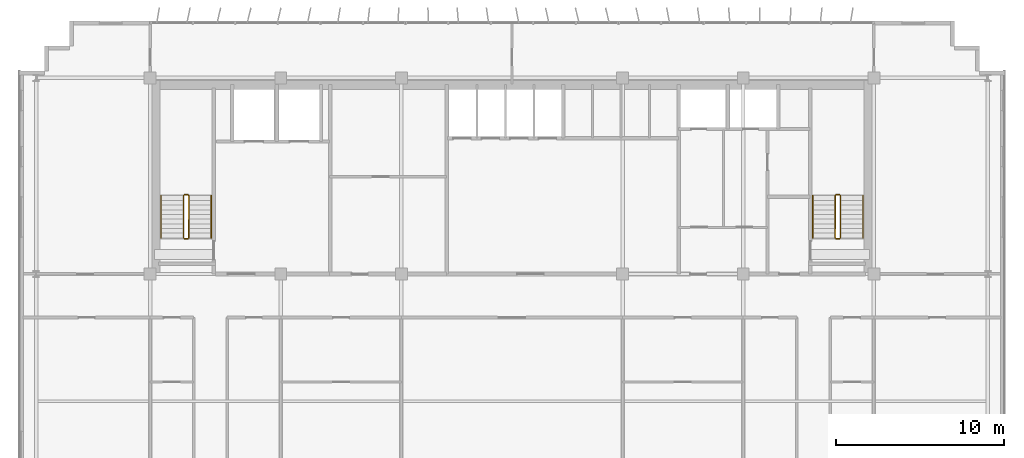
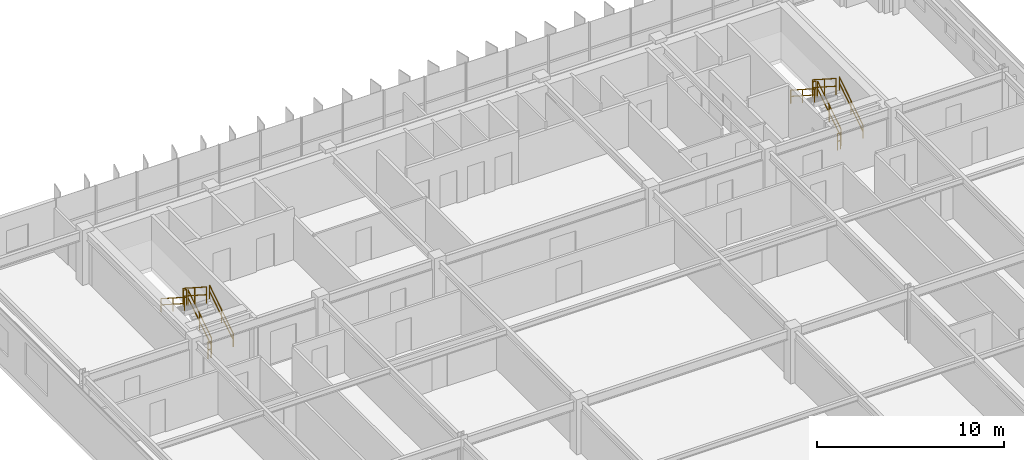
# One storey, part 20 of 20: 12 railings.
"""IFC4 building model written with IfcOpenShell, lengths in metres."""

from ifc_helpers import new_model, si_unit, direction, frame, origin, origin_2d, place, context, subcontext, project, spatial, rectangle, extrude, material, type_object, element, save


model = new_model("IFC4")

# Units and contexts
model_context = context("Model", 3, precision=1e-05, world=origin(), true_north=direction((0.0, 1.0)))
body_context = subcontext(model_context, "Body", "Model", "MODEL_VIEW")
ifc_project = project(units=[si_unit("LENGTHUNIT", "METRE"), si_unit("AREAUNIT", "SQUARE_METRE"), si_unit("VOLUMEUNIT", "CUBIC_METRE"), si_unit("PLANEANGLEUNIT", "RADIAN"), si_unit("MASSUNIT", "GRAM", prefix="KILO")], contexts=[model_context])

# Site, building, storey
site_placement = place(None, origin())
site = spatial("IfcSite", under=ifc_project, at=site_placement, CompositionType="ELEMENT")
building_placement = place(site_placement, origin())
building = spatial("IfcBuilding", under=site, at=building_placement, Name="Trelvane Seafront Commons", CompositionType="ELEMENT")
storey_placement = place(building_placement, frame((0.0, 0.0, 142.89990234375)))
storey = spatial("IfcBuildingStorey", under=building, at=storey_placement, Name="L37", CompositionType="ELEMENT", Elevation=142.89990234375)

# Railings
ifc_material = material(Name="Stainless steel balustrade", Category="steel")
railing_type_1 = type_object("IfcRailingType", Name="ARCH-SRL-GUARD", PredefinedType="GUARDRAIL", material=ifc_material)
railing_1_placement = place(storey_placement, frame((17.89990234375, 35.550048828125, 0.18017578125)))
element("IfcRailing", 1, at=railing_1_placement, inside=storey, type_object=railing_type_1, Name="L37 ST-1 stair guard 1", PredefinedType="GUARDRAIL", context=body_context, shape_type="SweptSolid", body=[
    extrude(rectangle(XDim=0.048095703125, YDim=0.048095703125, at=origin_2d()), frame((0.0, 0.0, 1.076171875), z_axis=(0.0, 0.841199657755, 0.540724639528), x_axis=(-1.0, 0.0, 0.0)), (0.0, 0.0, 1.0), 2.995849609375),
    extrude(rectangle(XDim=0.048095703125, YDim=0.048095703125, at=origin_2d()), frame((0.0, 0.0, 0.572021484375), z_axis=(0.0, 0.841199657755, 0.540724639528), x_axis=(-1.0, 0.0, 0.0)), (0.0, 0.0, 1.0), 2.995849609375),
    extrude(rectangle(XDim=0.0419921875, YDim=0.0419921875, at=origin_2d()), origin(), (0.0, 0.0, 1.0), 1.076171875),
    extrude(rectangle(XDim=0.0419921875, YDim=0.0419921875, at=origin_2d()), frame((0.0, 1.260009765625, 0.81005859375)), (0.0, 0.0, 1.0), 1.076171875),
    extrude(rectangle(XDim=0.0419921875, YDim=0.0419921875, at=origin_2d()), frame((0.0, 2.52001953125, 1.619873046875)), (0.0, 0.0, 1.0), 1.076171875),
])
railing_2_placement = place(storey_placement, frame((17.85009765625, 38.1201171875, 1.800048828125)))
element("IfcRailing", 2, at=railing_2_placement, inside=storey, type_object=railing_type_1, Name="L37 ST-1 stair guard 2", PredefinedType="GUARDRAIL", context=body_context, shape_type="SweptSolid", body=[
    extrude(rectangle(XDim=0.048095703125, YDim=0.048095703125, at=origin_2d()), frame((0.0, 0.0, 1.076171875), z_axis=(-1.0, 0.0, 0.0), x_axis=(0.0, -1.0, 0.0)), (0.0, 0.0, 1.0), 0.2001953125),
    extrude(rectangle(XDim=0.048095703125, YDim=0.048095703125, at=origin_2d()), frame((0.0, 0.0, 0.572021484375), z_axis=(-1.0, 0.0, 0.0), x_axis=(0.0, -1.0, 0.0)), (0.0, 0.0, 1.0), 0.2001953125),
    extrude(rectangle(XDim=0.0419921875, YDim=0.0419921875, at=origin_2d()), origin(), (0.0, 0.0, 1.0), 1.076171875),
    extrude(rectangle(XDim=0.0419921875, YDim=0.0419921875, at=origin_2d()), frame((-0.2001953125, 0.0, 0.0)), (0.0, 0.0, 1.0), 1.076171875),
])
railing_3_placement = place(storey_placement, frame((17.60009765625, 38.070068359375, 1.97998046875)))
element("IfcRailing", 3, at=railing_3_placement, inside=storey, type_object=railing_type_1, Name="L37 ST-1 stair guard 3", PredefinedType="GUARDRAIL", context=body_context, shape_type="SweptSolid", body=[
    extrude(rectangle(XDim=0.048095703125, YDim=0.048095703125, at=origin_2d()), frame((0.0, 0.0, 1.076171875), z_axis=(0.0, -0.841162588446, 0.540782303519), x_axis=(1.0, 0.0, 0.0)), (0.0, 0.0, 1.0), 2.995849609375),
    extrude(rectangle(XDim=0.048095703125, YDim=0.048095703125, at=origin_2d()), frame((0.0, 0.0, 0.572021484375), z_axis=(0.0, -0.841162588446, 0.540782303519), x_axis=(1.0, 0.0, 0.0)), (0.0, 0.0, 1.0), 2.995849609375),
    extrude(rectangle(XDim=0.0419921875, YDim=0.0419921875, at=origin_2d()), origin(), (0.0, 0.0, 1.0), 1.076171875),
    extrude(rectangle(XDim=0.0419921875, YDim=0.0419921875, at=origin_2d()), frame((0.0, -1.260009765625, 0.81005859375)), (0.0, 0.0, 1.0), 1.076171875),
    extrude(rectangle(XDim=0.0419921875, YDim=0.0419921875, at=origin_2d()), frame((0.0, -2.52001953125, 1.6201171875)), (0.0, 0.0, 1.0), 1.076171875),
])
railing_4_placement = place(storey_placement, frame((17.85009765625, 35.5, 0.0)))
element("IfcRailing", 4, at=railing_4_placement, inside=storey, type_object=railing_type_1, Name="L37 ST-1 stair guard 4", PredefinedType="GUARDRAIL", context=body_context, shape_type="SweptSolid", body=[
    extrude(rectangle(XDim=0.048095703125, YDim=0.048095703125, at=origin_2d()), frame((0.0, 0.0, 1.076171875), z_axis=(-1.0, 0.0, 0.0), x_axis=(0.0, -1.0, 0.0)), (0.0, 0.0, 1.0), 0.2001953125),
    extrude(rectangle(XDim=0.048095703125, YDim=0.048095703125, at=origin_2d()), frame((0.0, 0.0, 0.572021484375), z_axis=(-1.0, 0.0, 0.0), x_axis=(0.0, -1.0, 0.0)), (0.0, 0.0, 1.0), 0.2001953125),
    extrude(rectangle(XDim=0.0419921875, YDim=0.0419921875, at=origin_2d()), origin(), (0.0, 0.0, 1.0), 1.076171875),
    extrude(rectangle(XDim=0.0419921875, YDim=0.0419921875, at=origin_2d()), frame((-0.2001953125, 0.0, 0.0)), (0.0, 0.0, 1.0), 1.076171875),
])
railing_5_placement = place(storey_placement, frame((56.800048828125, 35.550048828125, 0.18017578125)))
element("IfcRailing", 5, at=railing_5_placement, inside=storey, type_object=railing_type_1, Name="L37 ST-2 stair guard 1", PredefinedType="GUARDRAIL", context=body_context, shape_type="SweptSolid", body=[
    extrude(rectangle(XDim=0.048095703125, YDim=0.048095703125, at=origin_2d()), frame((0.0, 0.0, 1.076171875), z_axis=(0.0, 0.841199657755, 0.540724639528), x_axis=(-1.0, 0.0, 0.0)), (0.0, 0.0, 1.0), 2.995849609375),
    extrude(rectangle(XDim=0.048095703125, YDim=0.048095703125, at=origin_2d()), frame((0.0, 0.0, 0.572021484375), z_axis=(0.0, 0.841199657755, 0.540724639528), x_axis=(-1.0, 0.0, 0.0)), (0.0, 0.0, 1.0), 2.995849609375),
    extrude(rectangle(XDim=0.0419921875, YDim=0.0419921875, at=origin_2d()), origin(), (0.0, 0.0, 1.0), 1.076171875),
    extrude(rectangle(XDim=0.0419921875, YDim=0.0419921875, at=origin_2d()), frame((0.0, 1.260009765625, 0.81005859375)), (0.0, 0.0, 1.0), 1.076171875),
    extrude(rectangle(XDim=0.0419921875, YDim=0.0419921875, at=origin_2d()), frame((0.0, 2.52001953125, 1.619873046875)), (0.0, 0.0, 1.0), 1.076171875),
])
railing_6_placement = place(storey_placement, frame((56.75, 38.1201171875, 1.800048828125)))
element("IfcRailing", 6, at=railing_6_placement, inside=storey, type_object=railing_type_1, Name="L37 ST-2 stair guard 2", PredefinedType="GUARDRAIL", context=body_context, shape_type="SweptSolid", body=[
    extrude(rectangle(XDim=0.048095703125, YDim=0.048095703125, at=origin_2d()), frame((0.0, 0.0, 1.076171875), z_axis=(-1.0, 0.0, 0.0), x_axis=(0.0, -1.0, 0.0)), (0.0, 0.0, 1.0), 0.199951171875),
    extrude(rectangle(XDim=0.048095703125, YDim=0.048095703125, at=origin_2d()), frame((0.0, 0.0, 0.572021484375), z_axis=(-1.0, 0.0, 0.0), x_axis=(0.0, -1.0, 0.0)), (0.0, 0.0, 1.0), 0.199951171875),
    extrude(rectangle(XDim=0.0419921875, YDim=0.0419921875, at=origin_2d()), origin(), (0.0, 0.0, 1.0), 1.076171875),
    extrude(rectangle(XDim=0.0419921875, YDim=0.0419921875, at=origin_2d()), frame((-0.199951171875, 0.0, 0.0)), (0.0, 0.0, 1.0), 1.076171875),
])
railing_7_placement = place(storey_placement, frame((56.5, 38.070068359375, 1.97998046875)))
element("IfcRailing", 7, at=railing_7_placement, inside=storey, type_object=railing_type_1, Name="L37 ST-2 stair guard 3", PredefinedType="GUARDRAIL", context=body_context, shape_type="SweptSolid", body=[
    extrude(rectangle(XDim=0.048095703125, YDim=0.048095703125, at=origin_2d()), frame((0.0, 0.0, 1.076171875), z_axis=(0.0, -0.841162588446, 0.540782303519), x_axis=(1.0, 0.0, 0.0)), (0.0, 0.0, 1.0), 2.995849609375),
    extrude(rectangle(XDim=0.048095703125, YDim=0.048095703125, at=origin_2d()), frame((0.0, 0.0, 0.572021484375), z_axis=(0.0, -0.841162588446, 0.540782303519), x_axis=(1.0, 0.0, 0.0)), (0.0, 0.0, 1.0), 2.995849609375),
    extrude(rectangle(XDim=0.0419921875, YDim=0.0419921875, at=origin_2d()), origin(), (0.0, 0.0, 1.0), 1.076171875),
    extrude(rectangle(XDim=0.0419921875, YDim=0.0419921875, at=origin_2d()), frame((0.0, -1.260009765625, 0.81005859375)), (0.0, 0.0, 1.0), 1.076171875),
    extrude(rectangle(XDim=0.0419921875, YDim=0.0419921875, at=origin_2d()), frame((0.0, -2.52001953125, 1.6201171875)), (0.0, 0.0, 1.0), 1.076171875),
])
railing_8_placement = place(storey_placement, frame((56.75, 35.5, 0.0)))
element("IfcRailing", 8, at=railing_8_placement, inside=storey, type_object=railing_type_1, Name="L37 ST-2 stair guard 4", PredefinedType="GUARDRAIL", context=body_context, shape_type="SweptSolid", body=[
    extrude(rectangle(XDim=0.048095703125, YDim=0.048095703125, at=origin_2d()), frame((0.0, 0.0, 1.076171875), z_axis=(-1.0, 0.0, 0.0), x_axis=(0.0, -1.0, 0.0)), (0.0, 0.0, 1.0), 0.199951171875),
    extrude(rectangle(XDim=0.048095703125, YDim=0.048095703125, at=origin_2d()), frame((0.0, 0.0, 0.572021484375), z_axis=(-1.0, 0.0, 0.0), x_axis=(0.0, -1.0, 0.0)), (0.0, 0.0, 1.0), 0.199951171875),
    extrude(rectangle(XDim=0.0419921875, YDim=0.0419921875, at=origin_2d()), origin(), (0.0, 0.0, 1.0), 1.076171875),
    extrude(rectangle(XDim=0.0419921875, YDim=0.0419921875, at=origin_2d()), frame((-0.199951171875, 0.0, 0.0)), (0.0, 0.0, 1.0), 1.076171875),
])
railing_type_2 = type_object("IfcRailingType", Name="ARCH-SRL-HAND", PredefinedType="HANDRAIL", material=ifc_material)
railing_9_placement = place(storey_placement, frame((19.25, 35.550048828125, 0.18017578125)))
element("IfcRailing", 9, at=railing_9_placement, inside=storey, type_object=railing_type_2, Name="L37 ST-1 stair handrail 1", PredefinedType="HANDRAIL", context=body_context, shape_type="SweptSolid", body=[
    extrude(rectangle(XDim=0.048095703125, YDim=0.048095703125, at=origin_2d()), frame((0.0, 0.0, 0.8759765625), z_axis=(0.0, 0.841199657755, 0.540724639528), x_axis=(-1.0, 0.0, 0.0)), (0.0, 0.0, 1.0), 2.995849609375),
    extrude(rectangle(XDim=0.048095703125, YDim=0.048095703125, at=origin_2d()), frame((0.0, 0.0, 0.468017578125), z_axis=(0.0, 0.841199657755, 0.540724639528), x_axis=(-1.0, 0.0, 0.0)), (0.0, 0.0, 1.0), 2.995849609375),
    extrude(rectangle(XDim=0.0419921875, YDim=0.0419921875, at=origin_2d()), origin(), (0.0, 0.0, 1.0), 0.8759765625),
    extrude(rectangle(XDim=0.0419921875, YDim=0.0419921875, at=origin_2d()), frame((0.0, 1.260009765625, 0.81005859375)), (0.0, 0.0, 1.0), 0.8759765625),
    extrude(rectangle(XDim=0.0419921875, YDim=0.0419921875, at=origin_2d()), frame((0.0, 2.52001953125, 1.619873046875)), (0.0, 0.0, 1.0), 0.8759765625),
])
railing_10_placement = place(storey_placement, frame((16.25, 38.070068359375, 1.97998046875)))
element("IfcRailing", 10, at=railing_10_placement, inside=storey, type_object=railing_type_2, Name="L37 ST-1 stair handrail 2", PredefinedType="HANDRAIL", context=body_context, shape_type="SweptSolid", body=[
    extrude(rectangle(XDim=0.048095703125, YDim=0.048095703125, at=origin_2d()), frame((0.0, 0.0, 0.8759765625), z_axis=(0.0, -0.841162588446, 0.540782303519), x_axis=(1.0, 0.0, 0.0)), (0.0, 0.0, 1.0), 2.995849609375),
    extrude(rectangle(XDim=0.048095703125, YDim=0.048095703125, at=origin_2d()), frame((0.0, 0.0, 0.468017578125), z_axis=(0.0, -0.841162588446, 0.540782303519), x_axis=(1.0, 0.0, 0.0)), (0.0, 0.0, 1.0), 2.995849609375),
    extrude(rectangle(XDim=0.0419921875, YDim=0.0419921875, at=origin_2d()), origin(), (0.0, 0.0, 1.0), 0.8759765625),
    extrude(rectangle(XDim=0.0419921875, YDim=0.0419921875, at=origin_2d()), frame((0.0, -1.260009765625, 0.81005859375)), (0.0, 0.0, 1.0), 0.8759765625),
    extrude(rectangle(XDim=0.0419921875, YDim=0.0419921875, at=origin_2d()), frame((0.0, -2.52001953125, 1.6201171875)), (0.0, 0.0, 1.0), 0.8759765625),
])
railing_11_placement = place(storey_placement, frame((58.14990234375, 35.550048828125, 0.18017578125)))
element("IfcRailing", 11, at=railing_11_placement, inside=storey, type_object=railing_type_2, Name="L37 ST-2 stair handrail 1", PredefinedType="HANDRAIL", context=body_context, shape_type="SweptSolid", body=[
    extrude(rectangle(XDim=0.048095703125, YDim=0.048095703125, at=origin_2d()), frame((0.0, 0.0, 0.8759765625), z_axis=(0.0, 0.841199657755, 0.540724639528), x_axis=(-1.0, 0.0, 0.0)), (0.0, 0.0, 1.0), 2.995849609375),
    extrude(rectangle(XDim=0.048095703125, YDim=0.048095703125, at=origin_2d()), frame((0.0, 0.0, 0.468017578125), z_axis=(0.0, 0.841199657755, 0.540724639528), x_axis=(-1.0, 0.0, 0.0)), (0.0, 0.0, 1.0), 2.995849609375),
    extrude(rectangle(XDim=0.0419921875, YDim=0.0419921875, at=origin_2d()), origin(), (0.0, 0.0, 1.0), 0.8759765625),
    extrude(rectangle(XDim=0.0419921875, YDim=0.0419921875, at=origin_2d()), frame((0.0, 1.260009765625, 0.81005859375)), (0.0, 0.0, 1.0), 0.8759765625),
    extrude(rectangle(XDim=0.0419921875, YDim=0.0419921875, at=origin_2d()), frame((0.0, 2.52001953125, 1.619873046875)), (0.0, 0.0, 1.0), 0.8759765625),
])
railing_12_placement = place(storey_placement, frame((55.14990234375, 38.070068359375, 1.97998046875)))
element("IfcRailing", 12, at=railing_12_placement, inside=storey, type_object=railing_type_2, Name="L37 ST-2 stair handrail 2", PredefinedType="HANDRAIL", context=body_context, shape_type="SweptSolid", body=[
    extrude(rectangle(XDim=0.048095703125, YDim=0.048095703125, at=origin_2d()), frame((0.0, 0.0, 0.8759765625), z_axis=(0.0, -0.841162588446, 0.540782303519), x_axis=(1.0, 0.0, 0.0)), (0.0, 0.0, 1.0), 2.995849609375),
    extrude(rectangle(XDim=0.048095703125, YDim=0.048095703125, at=origin_2d()), frame((0.0, 0.0, 0.468017578125), z_axis=(0.0, -0.841162588446, 0.540782303519), x_axis=(1.0, 0.0, 0.0)), (0.0, 0.0, 1.0), 2.995849609375),
    extrude(rectangle(XDim=0.0419921875, YDim=0.0419921875, at=origin_2d()), origin(), (0.0, 0.0, 1.0), 0.8759765625),
    extrude(rectangle(XDim=0.0419921875, YDim=0.0419921875, at=origin_2d()), frame((0.0, -1.260009765625, 0.81005859375)), (0.0, 0.0, 1.0), 0.8759765625),
    extrude(rectangle(XDim=0.0419921875, YDim=0.0419921875, at=origin_2d()), frame((0.0, -2.52001953125, 1.6201171875)), (0.0, 0.0, 1.0), 0.8759765625),
])

save(model, "model.ifc")
